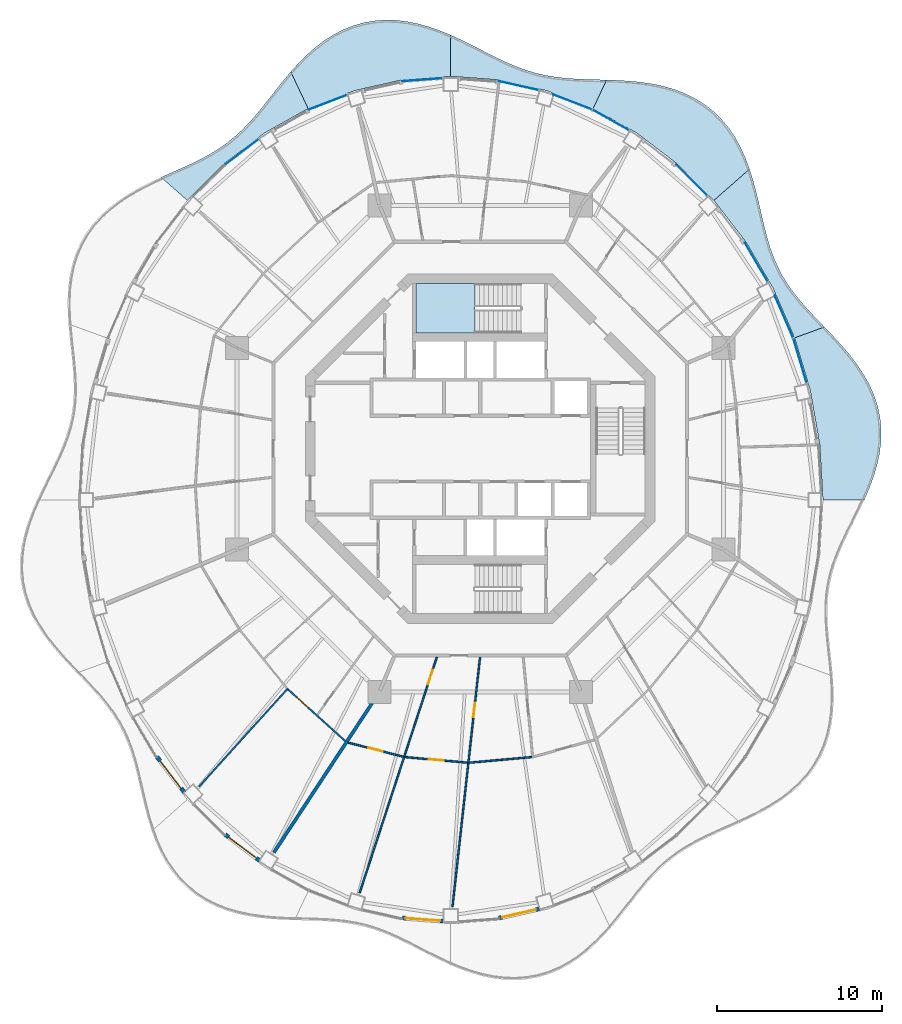
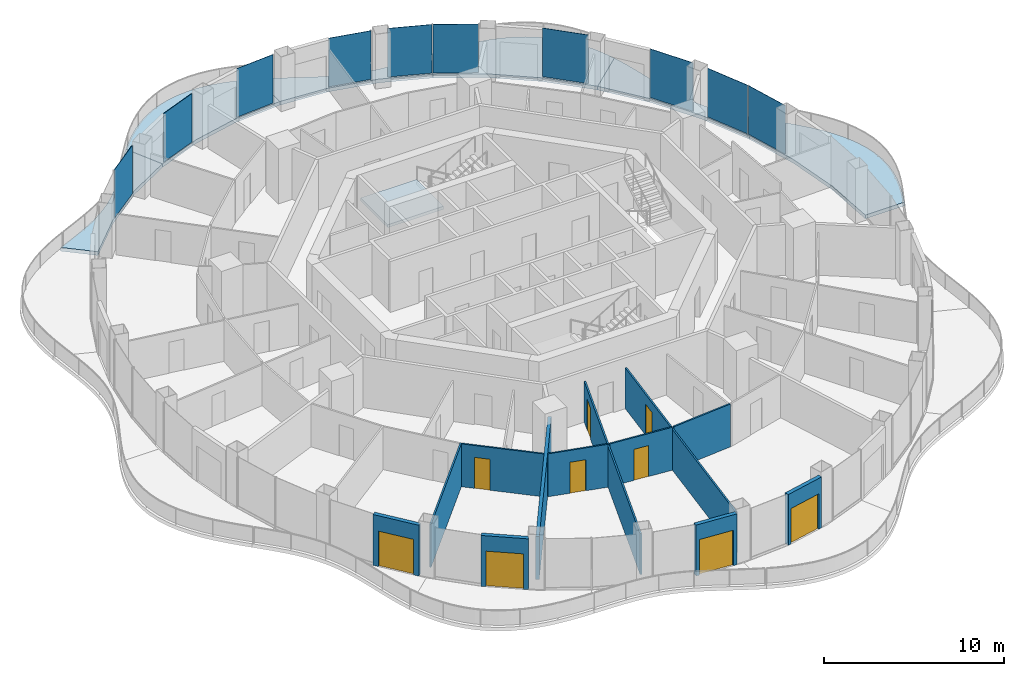
# One storey, part 9 of 17: 12 walls, 10 plates, 9 doors, 7 slabs, 9 openings, 11 elements without a shape of their own.
"""IFC4 building model written with IfcOpenShell, lengths in metres."""

from ifc_helpers import new_model, si_unit, direction, frame, frame_2d, origin, origin_2d, place, context, subcontext, project, spatial, polyline, rectangle, outline, extrude, material, layer, layer_set, type_object, element, fill, aggregate, save


model = new_model("IFC4")

# Units and contexts
model_context = context("Model", 3, precision=1e-05, world=origin(), true_north=direction((0.0, 1.0)))
body_context = subcontext(model_context, "Body", "Model", "MODEL_VIEW")
ifc_project = project(units=[si_unit("LENGTHUNIT", "METRE"), si_unit("AREAUNIT", "SQUARE_METRE"), si_unit("VOLUMEUNIT", "CUBIC_METRE"), si_unit("PLANEANGLEUNIT", "RADIAN"), si_unit("MASSUNIT", "GRAM", prefix="KILO")], contexts=[model_context])

# Site, building, storey
site_placement = place(None, origin())
site = spatial("IfcSite", under=ifc_project, at=site_placement, CompositionType="ELEMENT")
building_placement = place(site_placement, origin())
building = spatial("IfcBuilding", under=site, at=building_placement, Name="Nagisa Residences", CompositionType="ELEMENT")
storey_placement = place(building_placement, frame((0.0, 0.0, 280.699951171875)))
storey = spatial("IfcBuildingStorey", under=building, at=storey_placement, Name="L71", CompositionType="ELEMENT", Elevation=280.699951171875)

# Slabs
ifc_material_1 = material(Name="Concrete C40/50", Category="concrete")
ifc_layer_1 = layer(ifc_material_1, 0.25)
ifc_layer_set_1 = layer_set([ifc_layer_1], Name="BALCONY SLAB 250")
slab_type_1 = type_object("IfcSlabType", Name="BALCONY SLAB 250", PredefinedType="FLOOR", material=ifc_layer_set_1)
slab_1_placement = place(storey_placement, frame((0.0, 0.0, -0.25)))
element("IfcSlab", 1, at=slab_1_placement, inside=storey, type_object=slab_type_1, Name="slab:L71:bal00", PredefinedType="FLOOR", context=body_context, shape_type="SweptSolid", body=[
    extrude(outline(polyline([(23.326904296875, -3.11767578125), (23.62353515625, -2.42919921875), (23.885498046875, -1.72900390625), (24.10009765625, -1.019287109375), (24.256103515625, -0.302978515625), (24.344970703125, 0.415283203125), (24.359619140625, 1.13134765625), (24.29638671875, 1.840576171875), (24.154052734375, 2.5380859375), (23.934814453125, 3.2197265625), (23.64306640625, 3.88232421875), (23.286376953125, 4.522705078125), (22.8740234375, 5.14013671875), (22.41748046875, 5.73388671875), (21.92919921875, 6.30517578125), (21.42236328125, 6.856689453125), (20.910400390625, 7.39208984375), (19.09814453125, 6.732666015625), (20.04931640625, 3.544189453125), (20.62646484375, 0.241943359375), (20.820068359375, -3.11767578125), (23.326904296875, -3.11767578125)])), origin(), (0.0, 0.0, 1.0), 0.25),
])
slab_2_placement = place(storey_placement, frame((0.0, 0.0, -0.25)))
element("IfcSlab", 2, at=slab_2_placement, inside=storey, type_object=slab_type_1, Name="slab:L71:bal01", PredefinedType="FLOOR", context=body_context, shape_type="SweptSolid", body=[
    extrude(outline(polyline([(20.910400390625, 7.39208984375), (20.420654296875, 7.900146484375), (19.948486328125, 8.40283203125), (19.50244140625, 8.9052734375), (19.089599609375, 9.413330078125), (18.715087890625, 9.932861328125), (18.381591796875, 10.468505859375), (18.08935546875, 11.024658203125), (17.8359375, 11.604736328125), (17.6171875, 12.210205078125), (17.426513671875, 12.841552734375), (17.256103515625, 13.49755859375), (17.096435546875, 14.1748046875), (16.937255859375, 14.869140625), (16.76806640625, 15.57421875), (16.57861328125, 16.282470703125), (16.359375, 16.985595703125), (14.19482421875, 15.083251953125), (16.145751953125, 12.5517578125), (17.78955078125, 9.752197265625), (19.09814453125, 6.732666015625), (20.910400390625, 7.39208984375)])), origin(), (0.0, 0.0, 1.0), 0.25),
])
slab_3_placement = place(storey_placement, frame((0.0, 0.0, -0.25)))
element("IfcSlab", 3, at=slab_3_placement, inside=storey, type_object=slab_type_1, Name="slab:L71:bal02", PredefinedType="FLOOR", context=body_context, shape_type="SweptSolid", body=[
    extrude(outline(polyline([(16.359375, 16.985595703125), (16.114501953125, 17.642333984375), (15.82861328125, 18.278076171875), (15.496826171875, 18.884765625), (15.115966796875, 19.454345703125), (14.6845703125, 19.98046875), (14.20361328125, 20.45703125), (13.674560546875, 20.880126953125), (13.1015625, 21.24658203125), (12.4892578125, 21.5556640625), (11.84423828125, 21.80810546875), (11.1728515625, 22.0068359375), (10.482666015625, 22.156005859375), (9.781005859375, 22.26220703125), (9.0751953125, 22.33251953125), (8.37158203125, 22.3759765625), (7.676025390625, 22.40185546875), (6.856201171875, 20.6630859375), (9.510009765625, 19.173828125), (11.97021484375, 17.30322265625), (14.19482421875, 15.083251953125), (16.359375, 16.985595703125)])), origin(), (0.0, 0.0, 1.0), 0.25),
])
slab_4_placement = place(storey_placement, frame((0.0, 0.0, -0.25)))
element("IfcSlab", 4, at=slab_4_placement, inside=storey, type_object=slab_type_1, Name="slab:L71:bal03", PredefinedType="FLOOR", context=body_context, shape_type="SweptSolid", body=[
    extrude(outline(polyline([(7.676025390625, 22.40185546875), (7.017333984375, 22.41943359375), (6.373291015625, 22.438720703125), (5.745361328125, 22.467529296875), (5.134521484375, 22.513916015625), (4.539794921875, 22.583984375), (3.959716796875, 22.682861328125), (3.391357421875, 22.814208984375), (2.83154296875, 22.9794921875), (2.276123046875, 23.178466796875), (1.72119140625, 23.4091796875), (1.162353515625, 23.667724609375), (0.595947265625, 23.9482421875), (0.018798828125, 24.243408203125), (-0.572021484375, 24.544921875), (-1.17822265625, 24.843505859375), (-1.800048828125, 25.129150390625), (-1.800048828125, 22.622314453125), (1.152587890625, 22.402099609375), (4.054443359375, 21.745361328125), (6.856201171875, 20.6630859375), (7.676025390625, 22.40185546875)])), origin(), (0.0, 0.0, 1.0), 0.25),
])
slab_5_placement = place(storey_placement, frame((0.0, 0.0, -0.25)))
element("IfcSlab", 5, at=slab_5_placement, inside=storey, type_object=slab_type_1, Name="slab:L71:bal04", PredefinedType="FLOOR", context=body_context, shape_type="SweptSolid", body=[
    extrude(outline(polyline([(-1.800048828125, 25.129150390625), (-2.437255859375, 25.3916015625), (-3.08837890625, 25.621337890625), (-3.7509765625, 25.80859375), (-4.42138671875, 25.94580078125), (-5.095458984375, 26.025634765625), (-5.768310546875, 26.04248046875), (-6.435302734375, 25.993408203125), (-7.0908203125, 25.876220703125), (-7.73046875, 25.691650390625), (-8.349609375, 25.44140625), (-8.94482421875, 25.130126953125), (-9.513427734375, 24.762939453125), (-10.053955078125, 24.34765625), (-10.56591796875, 23.891845703125), (-11.05029296875, 23.405029296875), (-11.509033203125, 22.896484375), (-10.456298828125, 20.6630859375), (-7.654541015625, 21.745361328125), (-4.75244140625, 22.402099609375), (-1.800048828125, 22.622314453125), (-1.800048828125, 25.129150390625)])), origin(), (0.0, 0.0, 1.0), 0.25),
])
slab_6_placement = place(storey_placement, frame((0.0, 0.0, -0.25)))
element("IfcSlab", 6, at=slab_6_placement, inside=storey, type_object=slab_type_1, Name="slab:L71:bal05", PredefinedType="FLOOR", context=body_context, shape_type="SweptSolid", body=[
    extrude(outline(polyline([(-11.509033203125, 22.896484375), (-11.961669921875, 22.356201171875), (-12.394775390625, 21.81298828125), (-12.814453125, 21.2763671875), (-13.226806640625, 20.7548828125), (-13.638427734375, 20.25537109375), (-14.05615234375, 19.783447265625), (-14.486083984375, 19.34228515625), (-14.933837890625, 18.933837890625), (-15.40380859375, 18.557373046875), (-15.8994140625, 18.21142578125), (-16.422119140625, 17.89208984375), (-16.97216796875, 17.59423828125), (-17.548095703125, 17.3115234375), (-18.146240234375, 17.037353515625), (-18.76171875, 16.763916015625), (-19.388427734375, 16.483642578125), (-17.794677734375, 15.083251953125), (-15.570068359375, 17.30322265625), (-13.110107421875, 19.173828125), (-10.456298828125, 20.6630859375), (-11.509033203125, 22.896484375)])), origin(), (0.0, 0.0, 1.0), 0.25),
])

# Curtain wall, plate
ifc_material_2 = material(Name="Concrete-coloured aluminium curtain wall system", Category="concrete")
ifc_layer_2 = layer(ifc_material_2, 0.159912109375)
ifc_layer_set_2 = layer_set([ifc_layer_2], Name="CW1 CURTAIN WALL")
curtain_wall_type = type_object("IfcCurtainWallType", Name="CW1 CURTAIN WALL", PredefinedType="NOTDEFINED", material=ifc_layer_set_2)
curtain_wall_1_placement = place(storey_placement, origin())
curtain_wall_1 = element("IfcCurtainWall", 7, at=curtain_wall_1_placement, inside=storey, type_object=curtain_wall_type, Name="cw:CW1:L71:02", PredefinedType="NOTDEFINED")
ifc_material_3 = material(Name="Clear laminated glass", Category="glass")
ifc_layer_3 = layer(ifc_material_3, 0.028076171875)
ifc_layer_set_3 = layer_set([ifc_layer_3], Name="CW1 GLASS PANEL")
plate_type = type_object("IfcPlateType", Name="CW1 GLASS PANEL", PredefinedType="CURTAIN_PANEL", material=ifc_layer_set_3)
plate_1_placement = place(storey_placement, frame((19.424072265625, 5.35986328125, 0.150146484375), z_axis=(0.0, 0.0, 1.0), x_axis=(-0.285860274038, 0.958271310082, 0.0)))
plate_1 = element("IfcPlate", 8, at=plate_1_placement, type_object=plate_type, Name="CW1 panel", PredefinedType="CURTAIN_PANEL", context=body_context, shape_type="SweptSolid", body=[
    extrude(rectangle(XDim=2.817138671875, YDim=0.028076171875, at=origin_2d()), origin(), (0.0, 0.0, 1.0), 3.2900390625),
])
aggregate(curtain_wall_1, [plate_1])

curtain_wall_2_placement = place(storey_placement, origin())
curtain_wall_2 = element("IfcCurtainWall", 9, at=curtain_wall_2_placement, inside=storey, type_object=curtain_wall_type, Name="cw:CW1:L71:03", PredefinedType="NOTDEFINED")
plate_2_placement = place(storey_placement, frame((18.447998046875, 8.03173828125, 0.150146484375), z_axis=(0.0, 0.0, 1.0), x_axis=(-0.397635934147, 0.917543276295, 0.0)))
plate_2 = element("IfcPlate", 10, at=plate_2_placement, type_object=plate_type, Name="CW1 panel", PredefinedType="CURTAIN_PANEL", context=body_context, shape_type="SweptSolid", body=[
    extrude(rectangle(XDim=2.781005859375, YDim=0.028076171875, at=origin_2d()), origin(), (0.0, 0.0, 1.0), 3.2900390625),
])
aggregate(curtain_wall_2, [plate_2])

curtain_wall_3_placement = place(storey_placement, origin())
curtain_wall_3 = element("IfcCurtainWall", 11, at=curtain_wall_3_placement, inside=storey, type_object=curtain_wall_type, Name="cw:CW1:L71:04", PredefinedType="NOTDEFINED")
plate_3_placement = place(storey_placement, frame((16.76953125, 11.33154296875, 0.150146484375), z_axis=(0.0, 0.0, 1.0), x_axis=(-0.506348567002, 0.862328898214, 0.0)))
plate_3 = element("IfcPlate", 12, at=plate_3_placement, type_object=plate_type, Name="CW1 panel", PredefinedType="CURTAIN_PANEL", context=body_context, shape_type="SweptSolid", body=[
    extrude(rectangle(XDim=2.736572265625, YDim=0.028076171875, at=origin_2d()), origin(), (0.0, 0.0, 1.0), 3.2900390625),
])
aggregate(curtain_wall_3, [plate_3])

curtain_wall_4_placement = place(storey_placement, origin())
curtain_wall_4 = element("IfcCurtainWall", 13, at=curtain_wall_4_placement, inside=storey, type_object=curtain_wall_type, Name="cw:CW1:L71:06", PredefinedType="NOTDEFINED")
plate_4_placement = place(storey_placement, frame((12.845458984375, 16.316650390625, 0.150146484375), z_axis=(0.0, 0.0, 1.0), x_axis=(-0.707835924016, 0.706376885714, 0.0)))
plate_4 = element("IfcPlate", 14, at=plate_4_placement, type_object=plate_type, Name="CW1 panel", PredefinedType="CURTAIN_PANEL", context=body_context, shape_type="SweptSolid", body=[
    extrude(rectangle(XDim=2.6328125, YDim=0.028076171875, at=origin_2d()), origin(), (0.0, 0.0, 1.0), 3.2900390625),
])
aggregate(curtain_wall_4, [plate_4])

curtain_wall_5_placement = place(storey_placement, origin())
curtain_wall_5 = element("IfcCurtainWall", 15, at=curtain_wall_5_placement, inside=storey, type_object=curtain_wall_type, Name="cw:CW1:L71:08", PredefinedType="NOTDEFINED")
plate_5_placement = place(storey_placement, frame((7.921630859375, 19.973388671875, 0.150146484375), z_axis=(0.0, 0.0, 1.0), x_axis=(-0.872072377523, 0.489376918501, 0.0)))
plate_5 = element("IfcPlate", 16, at=plate_5_placement, type_object=plate_type, Name="CW1 panel", PredefinedType="CURTAIN_PANEL", context=body_context, shape_type="SweptSolid", body=[
    extrude(rectangle(XDim=2.532958984375, YDim=0.028076171875, at=origin_2d()), origin(), (0.0, 0.0, 1.0), 3.2900390625),
])
aggregate(curtain_wall_5, [plate_5])

curtain_wall_6_placement = place(storey_placement, origin())
curtain_wall_6 = element("IfcCurtainWall", 17, at=curtain_wall_6_placement, inside=storey, type_object=curtain_wall_type, Name="cw:CW1:L71:09", PredefinedType="NOTDEFINED")
plate_6_placement = place(storey_placement, frame((5.6083984375, 21.059326171875, 0.150146484375), z_axis=(0.0, 0.0, 1.0), x_axis=(-0.932825759707, 0.360327770268, 0.0)))
plate_6 = element("IfcPlate", 18, at=plate_6_placement, type_object=plate_type, Name="CW1 panel", PredefinedType="CURTAIN_PANEL", context=body_context, shape_type="SweptSolid", body=[
    extrude(rectangle(XDim=2.49365234375, YDim=0.028076171875, at=origin_2d()), origin(), (0.0, 0.0, 1.0), 3.2900390625),
])
aggregate(curtain_wall_6, [plate_6])

curtain_wall_7_placement = place(storey_placement, origin())
curtain_wall_7 = element("IfcCurtainWall", 19, at=curtain_wall_7_placement, inside=storey, type_object=curtain_wall_type, Name="cw:CW1:L71:10", PredefinedType="NOTDEFINED")
plate_7_placement = place(storey_placement, frame((2.337158203125, 22.052001953125, 0.150146484375), z_axis=(0.0, 0.0, 1.0), x_axis=(-0.975327274089, 0.2207639201, 0.0)))
plate_7 = element("IfcPlate", 20, at=plate_7_placement, type_object=plate_type, Name="CW1 panel", PredefinedType="CURTAIN_PANEL", context=body_context, shape_type="SweptSolid", body=[
    extrude(rectangle(XDim=2.46533203125, YDim=0.028076171875, at=origin_2d()), origin(), (0.0, 0.0, 1.0), 3.2900390625),
])
aggregate(curtain_wall_7, [plate_7])

curtain_wall_8_placement = place(storey_placement, origin())
curtain_wall_8 = element("IfcCurtainWall", 21, at=curtain_wall_8_placement, inside=storey, type_object=curtain_wall_type, Name="cw:CW1:L71:12", PredefinedType="NOTDEFINED")
plate_8_placement = place(storey_placement, frame((-3.524658203125, 22.41357421875, 0.150146484375), z_axis=(0.0, 0.0, 1.0), x_axis=(-0.997230168512, -0.074377355493, 0.0)))
plate_8 = element("IfcPlate", 22, at=plate_8_placement, type_object=plate_type, Name="CW1 panel", PredefinedType="CURTAIN_PANEL", context=body_context, shape_type="SweptSolid", body=[
    extrude(rectangle(XDim=2.45068359375, YDim=0.028076171875, at=origin_2d()), origin(), (0.0, 0.0, 1.0), 3.2900390625),
])
aggregate(curtain_wall_8, [plate_8])

curtain_wall_9_placement = place(storey_placement, origin())
curtain_wall_9 = element("IfcCurtainWall", 23, at=curtain_wall_9_placement, inside=storey, type_object=curtain_wall_type, Name="cw:CW1:L71:14", PredefinedType="NOTDEFINED")
plate_9_placement = place(storey_placement, frame((-9.264404296875, 21.03759765625, 0.150146484375), z_axis=(0.0, 0.0, 1.0), x_axis=(-0.932825759707, -0.360327770268, 0.0)))
plate_9 = element("IfcPlate", 24, at=plate_9_placement, type_object=plate_type, Name="CW1 panel", PredefinedType="CURTAIN_PANEL", context=body_context, shape_type="SweptSolid", body=[
    extrude(rectangle(XDim=2.49365234375, YDim=0.028076171875, at=origin_2d()), origin(), (0.0, 0.0, 1.0), 3.2900390625),
])
aggregate(curtain_wall_9, [plate_9])

curtain_wall_10_placement = place(storey_placement, origin())
curtain_wall_10 = element("IfcCurtainWall", 25, at=curtain_wall_10_placement, inside=storey, type_object=curtain_wall_type, Name="cw:CW1:L71:16", PredefinedType="NOTDEFINED")
plate_10_placement = place(storey_placement, frame((-14.49462890625, 18.0205078125, 0.150146484375), z_axis=(0.0, 0.0, 1.0), x_axis=(-0.79603132756, -0.605255421737, 0.0)))
plate_10 = element("IfcPlate", 26, at=plate_10_placement, type_object=plate_type, Name="CW1 panel", PredefinedType="CURTAIN_PANEL", context=body_context, shape_type="SweptSolid", body=[
    extrude(rectangle(XDim=2.58056640625, YDim=0.028076171875, at=origin_2d()), origin(), (0.0, 0.0, 1.0), 3.2900390625),
])
aggregate(curtain_wall_10, [plate_10])

# Stair, slab
ifc_material_4 = material(Name="Concrete C60", Category="concrete")
stair_type = type_object("IfcStairType", Name="Exit stair", PredefinedType="HALF_TURN_STAIR", material=ifc_material_4)
stair_placement = place(storey_placement, origin())
stair = element("IfcStair", 27, at=stair_placement, inside=storey, type_object=stair_type, Name="L71 Exit stair N", PredefinedType="HALF_TURN_STAIR")
ifc_material_5 = material(Name="Concrete C60", Category="concrete")
ifc_layer_4 = layer(ifc_material_5, 0.199951171875)
ifc_layer_set_4 = layer_set([ifc_layer_4], Name="Stair landing")
slab_type_2 = type_object("IfcSlabType", Name="Stair landing", PredefinedType="LANDING", material=ifc_layer_set_4)
slab_7_placement = place(storey_placement, frame((0.0, 0.0, 1.650146484375)))
slab_7 = element("IfcSlab", 28, at=slab_7_placement, type_object=slab_type_2, Name="ST-N landing 1", PredefinedType="LANDING", context=body_context, shape_type="SweptSolid", body=[
    extrude(outline(polyline([(-0.324951171875, 10.024658203125), (-3.89990234375, 10.024658203125), (-3.89990234375, 7.024658203125), (-0.324951171875, 7.024658203125), (-0.324951171875, 10.024658203125)])), origin(), (0.0, 0.0, 1.0), 0.199951171875),
])
aggregate(stair, [slab_7])

# Walls
ifc_material_6 = material(Name="Gypsum board on steel studs", Category="steel")
ifc_layer_5 = layer(ifc_material_6, 0.199951171875)
ifc_layer_set_5 = layer_set([ifc_layer_5], Name="Apartment compartment wall EI60 200")
wall_type_1 = type_object("IfcWallType", Name="Apartment compartment wall EI60 200", PredefinedType="PARTITIONING", material=ifc_layer_set_5)
wall_1_placement = place(storey_placement, frame((-6.150634765625, -14.82373046875, 0.0), z_axis=(0.0, 0.0, 1.0), x_axis=(-0.549345577828, -0.835595258556, 0.0)))
element("IfcWall", 29, at=wall_1_placement, inside=storey, type_object=wall_type_1, Name="wall:L71:u09", PredefinedType="PARTITIONING", context=body_context, shape_type="SweptSolid", body=[
    extrude(rectangle(XDim=11.619873046875, YDim=0.199951171875, at=frame_2d((5.81005859375, 0.0))), origin(), (0.0, 0.0, 1.0), 2.905029296875),
])
ifc_material_7 = material(Name="Gypsum board on steel studs", Category="steel")
ifc_layer_6 = layer(ifc_material_7, 0.10009765625)
ifc_layer_set_6 = layer_set([ifc_layer_6], Name="Apartment partition 100")
wall_type_2 = type_object("IfcWallType", Name="Apartment partition 100", PredefinedType="PARTITIONING", material=ifc_layer_set_6)
wall_2_placement = place(storey_placement, frame((-11.67919921875, -14.55712890625, 0.0), z_axis=(0.0, 0.0, 1.0), x_axis=(-0.670800011545, -0.741638284146, 0.0)))
element("IfcWall", 30, at=wall_2_placement, inside=storey, type_object=wall_type_2, Name="wall:L71:u54", PredefinedType="PARTITIONING", context=body_context, shape_type="SweptSolid", body=[
    extrude(rectangle(XDim=8.068115234375, YDim=0.10009765625, at=frame_2d((4.0341796875, 0.0))), origin(), (0.0, 0.0, 1.0), 2.905029296875),
])

# Wall, opening, door
wall_3_placement = place(storey_placement, frame((-11.675537109375, -14.627685546875, 0.0), z_axis=(0.0, 0.0, 1.0), x_axis=(0.74245829867, -0.669892285921, 0.0)))
wall_3 = element("IfcWall", 31, at=wall_3_placement, inside=storey, type_object=wall_type_2, Name="wall:L71:u55", PredefinedType="PARTITIONING", context=body_context, shape_type="SweptSolid", body=[
    extrude(rectangle(XDim=4.679931640625, YDim=0.10009765625, at=frame_2d((2.33984375, 0.0))), origin(), (0.0, 0.0, 1.0), 2.905029296875),
])
opening_1_placement = place(wall_3_placement, frame((0.732421875, 0.0, 0.0)))
opening_1 = element("IfcOpeningElement", 32, at=opening_1_placement, cuts=wall_3, Name="Opening L71-U06", PredefinedType="OPENING", context=body_context, shape_type="SweptSolid", body=[
    extrude(rectangle(XDim=0.89990234375, YDim=2.10009765625, at=frame_2d((0.449951171875, 1.050048828125))), frame((0.0, 0.06005859375, 0.0), z_axis=(0.0, -1.0, 0.0), x_axis=(1.0, 0.0, 0.0)), (0.0, 0.0, 1.0), 0.1201171875),
])
ifc_material_8 = material(Name="Timber door set", Category="wood")
door_type_1 = type_object("IfcDoorType", Name="Apartment door 900x2100", OperationType="NOTDEFINED", PredefinedType="DOOR", material=ifc_material_8)
door_1_placement = place(opening_1_placement, frame((0.89990234375, 0.0, 0.0), x_axis=(-1.0, 0.0, 0.0)))
door_1 = element("IfcDoor", 33, at=door_1_placement, inside=storey, type_object=door_type_1, Name="Door to living room, Apartment 71A", OperationType="SINGLE_SWING_LEFT", OverallHeight=2.10009765625, OverallWidth=0.89990234375, PredefinedType="DOOR", context=body_context, shape_type="SweptSolid", body=[
    extrude(rectangle(XDim=0.89990234375, YDim=2.10009765625, at=frame_2d((0.449951171875, 1.050048828125))), frame((0.0, 0.02490234375, 0.0), z_axis=(0.0, -1.0, 0.0), x_axis=(1.0, 0.0, 0.0)), (0.0, 0.0, 1.0), 0.050048828125),
])
fill(opening_1, door_1)

wall_4_placement = place(storey_placement, frame((-8.02978515625, -17.8544921875, 0.0), z_axis=(0.0, 0.0, 1.0), x_axis=(0.968441967324, -0.249239154077, 0.0)))
wall_4 = element("IfcWall", 34, at=wall_4_placement, inside=storey, type_object=wall_type_2, Name="wall:L71:u57", PredefinedType="PARTITIONING", context=body_context, shape_type="SweptSolid", body=[
    extrude(rectangle(XDim=3.467529296875, YDim=0.10009765625, at=frame_2d((1.73388671875, 0.0))), origin(), (0.0, 0.0, 1.0), 2.905029296875),
])
opening_2_placement = place(wall_4_placement, frame((1.28369140625, 0.0, 0.0)))
opening_2 = element("IfcOpeningElement", 35, at=opening_2_placement, cuts=wall_4, Name="Opening L71-U11", PredefinedType="OPENING", context=body_context, shape_type="SweptSolid", body=[
    extrude(rectangle(XDim=0.89990234375, YDim=2.10009765625, at=frame_2d((0.449951171875, 1.050048828125))), frame((0.0, 0.06005859375, 0.0), z_axis=(0.0, -1.0, 0.0), x_axis=(1.0, 0.0, 0.0)), (0.0, 0.0, 1.0), 0.1201171875),
])
door_2_placement = place(opening_2_placement, frame((0.89990234375, 0.0, 0.0), x_axis=(-1.0, 0.0, 0.0)))
door_2 = element("IfcDoor", 36, at=door_2_placement, inside=storey, type_object=door_type_1, Name="Door to kitchen, Apartment 71B", OperationType="SINGLE_SWING_RIGHT", OverallHeight=2.10009765625, OverallWidth=0.89990234375, PredefinedType="DOOR", context=body_context, shape_type="SweptSolid", body=[
    extrude(rectangle(XDim=0.89990234375, YDim=2.10009765625, at=frame_2d((0.449951171875, 1.050048828125))), frame((0.0, 0.02490234375, 0.0), z_axis=(0.0, -1.0, 0.0), x_axis=(1.0, 0.0, 0.0)), (0.0, 0.0, 1.0), 0.050048828125),
])
fill(opening_2, door_2)

wall_5_placement = place(storey_placement, frame((-2.63330078125, -12.65966796875, 0.0), z_axis=(0.0, 0.0, 1.0), x_axis=(-0.311432955908, -0.950268127412, 0.0)))
wall_5 = element("IfcWall", 37, at=wall_5_placement, inside=storey, type_object=wall_type_2, Name="wall:L71:u58", PredefinedType="PARTITIONING", context=body_context, shape_type="SweptSolid", body=[
    extrude(rectangle(XDim=15.07421875, YDim=0.10009765625, at=frame_2d((7.537109375, 0.0))), origin(), (0.0, 0.0, 1.0), 2.761962890625),
])
opening_3_placement = place(wall_5_placement, frame((0.828857421875, 0.0, 0.0)))
opening_3 = element("IfcOpeningElement", 38, at=opening_3_placement, cuts=wall_5, Name="Opening L71-U08", PredefinedType="OPENING", context=body_context, shape_type="SweptSolid", body=[
    extrude(rectangle(XDim=0.89990234375, YDim=2.10009765625, at=frame_2d((0.449951171875, 1.050048828125))), frame((0.0, 0.06005859375, 0.0), z_axis=(0.0, -1.0, 0.0), x_axis=(1.0, 0.0, 0.0)), (0.0, 0.0, 1.0), 0.1201171875),
])
door_3_placement = place(opening_3_placement, frame((0.89990234375, 0.0, 0.0), x_axis=(-1.0, 0.0, 0.0)))
door_3 = element("IfcDoor", 39, at=door_3_placement, inside=storey, type_object=door_type_1, Name="Door to store, Apartment 71B", OperationType="SINGLE_SWING_LEFT", OverallHeight=2.10009765625, OverallWidth=0.89990234375, PredefinedType="DOOR", context=body_context, shape_type="SweptSolid", body=[
    extrude(rectangle(XDim=0.89990234375, YDim=2.10009765625, at=frame_2d((0.449951171875, 1.050048828125))), frame((0.0, 0.02490234375, 0.0), z_axis=(0.0, -1.0, 0.0), x_axis=(1.0, 0.0, 0.0)), (0.0, 0.0, 1.0), 0.050048828125),
])
fill(opening_3, door_3)

wall_6_placement = place(storey_placement, frame((-4.5732421875, -18.735595703125, 0.0), z_axis=(0.0, 0.0, 1.0), x_axis=(0.995986472869, -0.089503887414, 0.0)))
wall_6 = element("IfcWall", 40, at=wall_6_placement, inside=storey, type_object=wall_type_2, Name="wall:L71:u59", PredefinedType="PARTITIONING", context=body_context, shape_type="SweptSolid", body=[
    extrude(rectangle(XDim=3.81884765625, YDim=0.10009765625, at=frame_2d((1.909423828125, 0.0))), origin(), (0.0, 0.0, 1.0), 2.905029296875),
])
opening_4_placement = place(wall_6_placement, frame((1.45947265625, 0.0, 0.0)))
opening_4 = element("IfcOpeningElement", 41, at=opening_4_placement, cuts=wall_6, Name="Opening L71-U12", PredefinedType="OPENING", context=body_context, shape_type="SweptSolid", body=[
    extrude(rectangle(XDim=0.89990234375, YDim=2.10009765625, at=frame_2d((0.449951171875, 1.050048828125))), frame((0.0, 0.06005859375, 0.0), z_axis=(0.0, -1.0, 0.0), x_axis=(1.0, 0.0, 0.0)), (0.0, 0.0, 1.0), 0.1201171875),
])
door_4_placement = place(opening_4_placement, frame((0.89990234375, 0.0, 0.0), x_axis=(-1.0, 0.0, 0.0)))
door_4 = element("IfcDoor", 42, at=door_4_placement, inside=storey, type_object=door_type_1, Name="Door to master bedroom, Apartment 71B", OperationType="SINGLE_SWING_LEFT", OverallHeight=2.10009765625, OverallWidth=0.89990234375, PredefinedType="DOOR", context=body_context, shape_type="SweptSolid", body=[
    extrude(rectangle(XDim=0.89990234375, YDim=2.10009765625, at=frame_2d((0.449951171875, 1.050048828125))), frame((0.0, 0.02490234375, 0.0), z_axis=(0.0, -1.0, 0.0), x_axis=(1.0, 0.0, 0.0)), (0.0, 0.0, 1.0), 0.050048828125),
])
fill(opening_4, door_4)

wall_7_placement = place(storey_placement, frame((-0.010986328125, -12.6640625, 0.0), z_axis=(0.0, 0.0, 1.0), x_axis=(-0.109805889692, -0.993953050495, 0.0)))
wall_7 = element("IfcWall", 43, at=wall_7_placement, inside=storey, type_object=wall_type_2, Name="wall:L71:u60", PredefinedType="PARTITIONING", context=body_context, shape_type="SweptSolid", body=[
    extrude(rectangle(XDim=15.248046875, YDim=0.10009765625, at=frame_2d((7.6240234375, 0.0))), origin(), (0.0, 0.0, 1.0), 2.761962890625),
])
opening_5_placement = place(wall_7_placement, frame((2.7783203125, 0.0, 0.0)))
opening_5 = element("IfcOpeningElement", 44, at=opening_5_placement, cuts=wall_7, Name="Opening L71-U09", PredefinedType="OPENING", context=body_context, shape_type="SweptSolid", body=[
    extrude(rectangle(XDim=0.89990234375, YDim=2.10009765625, at=frame_2d((0.449951171875, 1.050048828125))), frame((0.0, 0.06005859375, 0.0), z_axis=(0.0, -1.0, 0.0), x_axis=(1.0, 0.0, 0.0)), (0.0, 0.0, 1.0), 0.1201171875),
])
door_5_placement = place(opening_5_placement, origin())
door_5 = element("IfcDoor", 45, at=door_5_placement, inside=storey, type_object=door_type_1, Name="Door to family bathroom, Apartment 71B", OperationType="SINGLE_SWING_LEFT", OverallHeight=2.10009765625, OverallWidth=0.89990234375, PredefinedType="DOOR", context=body_context, shape_type="SweptSolid", body=[
    extrude(rectangle(XDim=0.89990234375, YDim=2.10009765625, at=frame_2d((0.449951171875, 1.050048828125))), frame((0.0, 0.02490234375, 0.0), z_axis=(0.0, -1.0, 0.0), x_axis=(1.0, 0.0, 0.0)), (0.0, 0.0, 1.0), 0.050048828125),
])
fill(opening_5, door_5)

# Wall
wall_8_placement = place(storey_placement, frame((-0.670166015625, -19.077392578125, 0.0), z_axis=(0.0, 0.0, 1.0), x_axis=(0.995986472869, 0.089503887414, 0.0)))
element("IfcWall", 46, at=wall_8_placement, inside=storey, type_object=wall_type_2, Name="wall:L71:u61", PredefinedType="PARTITIONING", context=body_context, shape_type="SweptSolid", body=[
    extrude(rectangle(XDim=3.81884765625, YDim=0.10009765625, at=frame_2d((1.909423828125, 0.0))), origin(), (0.0, 0.0, 1.0), 2.905029296875),
])

# Wall, opening, door
ifc_material_9 = material(Name="Precast concrete C40/50", Category="concrete")
ifc_layer_7 = layer(ifc_material_9, 0.25)
ifc_layer_set_7 = layer_set([ifc_layer_7], Name="BALCONY DOOR WALL 250")
wall_type_3 = type_object("IfcWallType", Name="BALCONY DOOR WALL 250", PredefinedType="SOLIDWALL", material=ifc_layer_set_7)
wall_9_placement = place(storey_placement, frame((-17.970458984375, -20.885986328125, 0.0), z_axis=(0.0, 0.0, 1.0), x_axis=(-0.610432336622, 0.792068407656, 0.0)))
wall_9 = element("IfcWall", 47, at=wall_9_placement, inside=storey, type_object=wall_type_3, Name="wall:L71:bay29", PredefinedType="SOLIDWALL", context=body_context, shape_type="SweptSolid", body=[
    extrude(rectangle(XDim=2.74609375, YDim=0.25, at=frame_2d((1.373046875, 0.0))), origin(), (0.0, 0.0, 1.0), 3.43994140625),
])
opening_6_placement = place(wall_9_placement, frame((0.322998046875, 0.0, 0.0)))
opening_6 = element("IfcOpeningElement", 48, at=opening_6_placement, cuts=wall_9, Name="Opening BD-L71-10", PredefinedType="OPENING", context=body_context, shape_type="SweptSolid", body=[
    extrude(rectangle(XDim=2.10009765625, YDim=2.39990234375, at=frame_2d((1.050048828125, 1.199951171875))), frame((0.0, 0.135009765625, 0.0), z_axis=(0.0, -1.0, 0.0), x_axis=(1.0, 0.0, 0.0)), (0.0, 0.0, 1.0), 0.27001953125),
])
ifc_material_10 = material(Name="Aluminium and clear glass", Category="aluminium")
door_type_2 = type_object("IfcDoorType", Name="BALCONY SLIDING DOOR 2100x2400", OperationType="SLIDING_TO_LEFT", PredefinedType="DOOR", material=ifc_material_10)
door_6_placement = place(opening_6_placement, origin())
door_6 = element("IfcDoor", 49, at=door_6_placement, inside=storey, type_object=door_type_2, Name="door:L71:bay29", OperationType="SLIDING_TO_LEFT", OverallHeight=2.39990234375, OverallWidth=2.10009765625, PredefinedType="DOOR", context=body_context, shape_type="SweptSolid", body=[
    extrude(rectangle(XDim=2.10009765625, YDim=2.39990234375, at=frame_2d((1.050048828125, 1.199951171875))), frame((0.0, 0.02490234375, 0.0), z_axis=(0.0, -1.0, 0.0), x_axis=(1.0, 0.0, 0.0)), (0.0, 0.0, 1.0), 0.050048828125),
])
fill(opening_6, door_6)

wall_10_placement = place(storey_placement, frame((-13.392578125, -25.037353515625, 0.0), z_axis=(0.0, 0.0, 1.0), x_axis=(-0.796055284084, 0.605223912847, 0.0)))
wall_10 = element("IfcWall", 50, at=wall_10_placement, inside=storey, type_object=wall_type_3, Name="wall:L71:bay31", PredefinedType="SOLIDWALL", context=body_context, shape_type="SweptSolid", body=[
    extrude(rectangle(XDim=2.640625, YDim=0.25, at=frame_2d((1.3203125, 0.0))), origin(), (0.0, 0.0, 1.0), 3.43994140625),
])
opening_7_placement = place(wall_10_placement, frame((0.270263671875, 0.0, 0.0)))
opening_7 = element("IfcOpeningElement", 51, at=opening_7_placement, cuts=wall_10, Name="Opening BD-L71-11", PredefinedType="OPENING", context=body_context, shape_type="SweptSolid", body=[
    extrude(rectangle(XDim=2.10009765625, YDim=2.39990234375, at=frame_2d((1.050048828125, 1.199951171875))), frame((0.0, 0.135009765625, 0.0), z_axis=(0.0, -1.0, 0.0), x_axis=(1.0, 0.0, 0.0)), (0.0, 0.0, 1.0), 0.27001953125),
])
door_7_placement = place(opening_7_placement, origin())
door_7 = element("IfcDoor", 52, at=door_7_placement, inside=storey, type_object=door_type_2, Name="door:L71:bay31", OperationType="SLIDING_TO_LEFT", OverallHeight=2.39990234375, OverallWidth=2.10009765625, PredefinedType="DOOR", context=body_context, shape_type="SweptSolid", body=[
    extrude(rectangle(XDim=2.10009765625, YDim=2.39990234375, at=frame_2d((1.050048828125, 1.199951171875))), frame((0.0, 0.02490234375, 0.0), z_axis=(0.0, -1.0, 0.0), x_axis=(1.0, 0.0, 0.0)), (0.0, 0.0, 1.0), 0.050048828125),
])
fill(opening_7, door_7)

wall_11_placement = place(storey_placement, frame((-2.239501953125, -28.699462890625, 0.0), z_axis=(0.0, 0.0, 1.0), x_axis=(-0.997236355794, 0.074294351616, 0.0)))
wall_11 = element("IfcWall", 53, at=wall_11_placement, inside=storey, type_object=wall_type_3, Name="wall:L71:bay35", PredefinedType="SOLIDWALL", context=body_context, shape_type="SweptSolid", body=[
    extrude(rectangle(XDim=2.510498046875, YDim=0.25, at=frame_2d((1.25537109375, 0.0))), origin(), (0.0, 0.0, 1.0), 3.43994140625),
])
opening_8_placement = place(wall_11_placement, frame((0.205322265625, 0.0, 0.0)))
opening_8 = element("IfcOpeningElement", 54, at=opening_8_placement, cuts=wall_11, Name="Opening BD-L71-12", PredefinedType="OPENING", context=body_context, shape_type="SweptSolid", body=[
    extrude(rectangle(XDim=2.10009765625, YDim=2.39990234375, at=frame_2d((1.050048828125, 1.199951171875))), frame((0.0, 0.135009765625, 0.0), z_axis=(0.0, -1.0, 0.0), x_axis=(1.0, 0.0, 0.0)), (0.0, 0.0, 1.0), 0.27001953125),
])
door_8_placement = place(opening_8_placement, origin())
door_8 = element("IfcDoor", 55, at=door_8_placement, inside=storey, type_object=door_type_2, Name="door:L71:bay35", OperationType="SLIDING_TO_LEFT", OverallHeight=2.39990234375, OverallWidth=2.10009765625, PredefinedType="DOOR", context=body_context, shape_type="SweptSolid", body=[
    extrude(rectangle(XDim=2.10009765625, YDim=2.39990234375, at=frame_2d((1.050048828125, 1.199951171875))), frame((0.0, 0.02490234375, 0.0), z_axis=(0.0, -1.0, 0.0), x_axis=(1.0, 0.0, 0.0)), (0.0, 0.0, 1.0), 0.050048828125),
])
fill(opening_8, door_8)

wall_12_placement = place(storey_placement, frame((3.587890625, -27.9580078125, 0.0), z_axis=(0.0, 0.0, 1.0), x_axis=(-0.97531487046, -0.22081871175, 0.0)))
wall_12 = element("IfcWall", 56, at=wall_12_placement, inside=storey, type_object=wall_type_3, Name="wall:L71:bay37", PredefinedType="SOLIDWALL", context=body_context, shape_type="SweptSolid", body=[
    extrude(rectangle(XDim=2.525146484375, YDim=0.25, at=frame_2d((1.2626953125, 0.0))), origin(), (0.0, 0.0, 1.0), 3.43994140625),
])
opening_9_placement = place(wall_12_placement, frame((0.212646484375, 0.0, 0.0)))
opening_9 = element("IfcOpeningElement", 57, at=opening_9_placement, cuts=wall_12, Name="Opening BD-L71-13", PredefinedType="OPENING", context=body_context, shape_type="SweptSolid", body=[
    extrude(rectangle(XDim=2.10009765625, YDim=2.39990234375, at=frame_2d((1.050048828125, 1.199951171875))), frame((0.0, 0.135009765625, 0.0), z_axis=(0.0, -1.0, 0.0), x_axis=(1.0, 0.0, 0.0)), (0.0, 0.0, 1.0), 0.27001953125),
])
door_9_placement = place(opening_9_placement, origin())
door_9 = element("IfcDoor", 58, at=door_9_placement, inside=storey, type_object=door_type_2, Name="door:L71:bay37", OperationType="SLIDING_TO_LEFT", OverallHeight=2.39990234375, OverallWidth=2.10009765625, PredefinedType="DOOR", context=body_context, shape_type="SweptSolid", body=[
    extrude(rectangle(XDim=2.10009765625, YDim=2.39990234375, at=frame_2d((1.050048828125, 1.199951171875))), frame((0.0, 0.02490234375, 0.0), z_axis=(0.0, -1.0, 0.0), x_axis=(1.0, 0.0, 0.0)), (0.0, 0.0, 1.0), 0.050048828125),
])
fill(opening_9, door_9)

save(model, "model.ifc")
